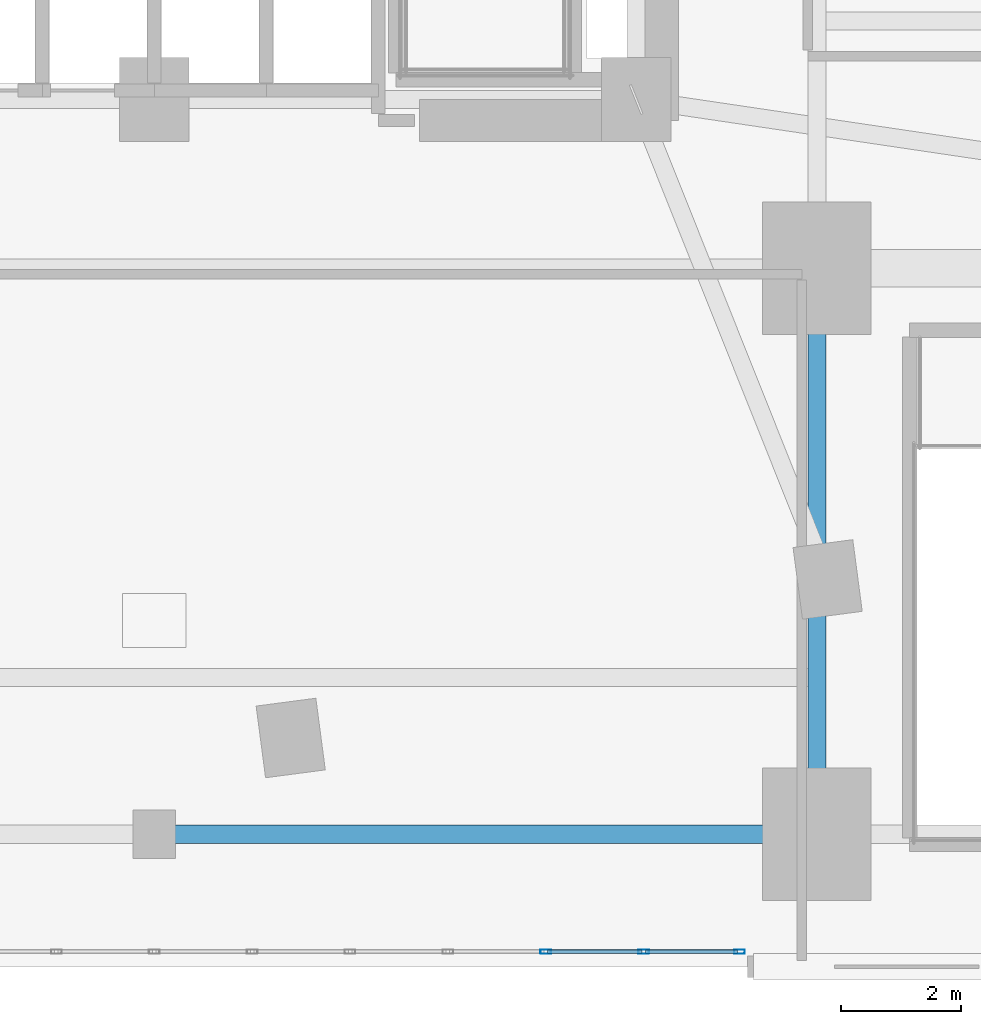
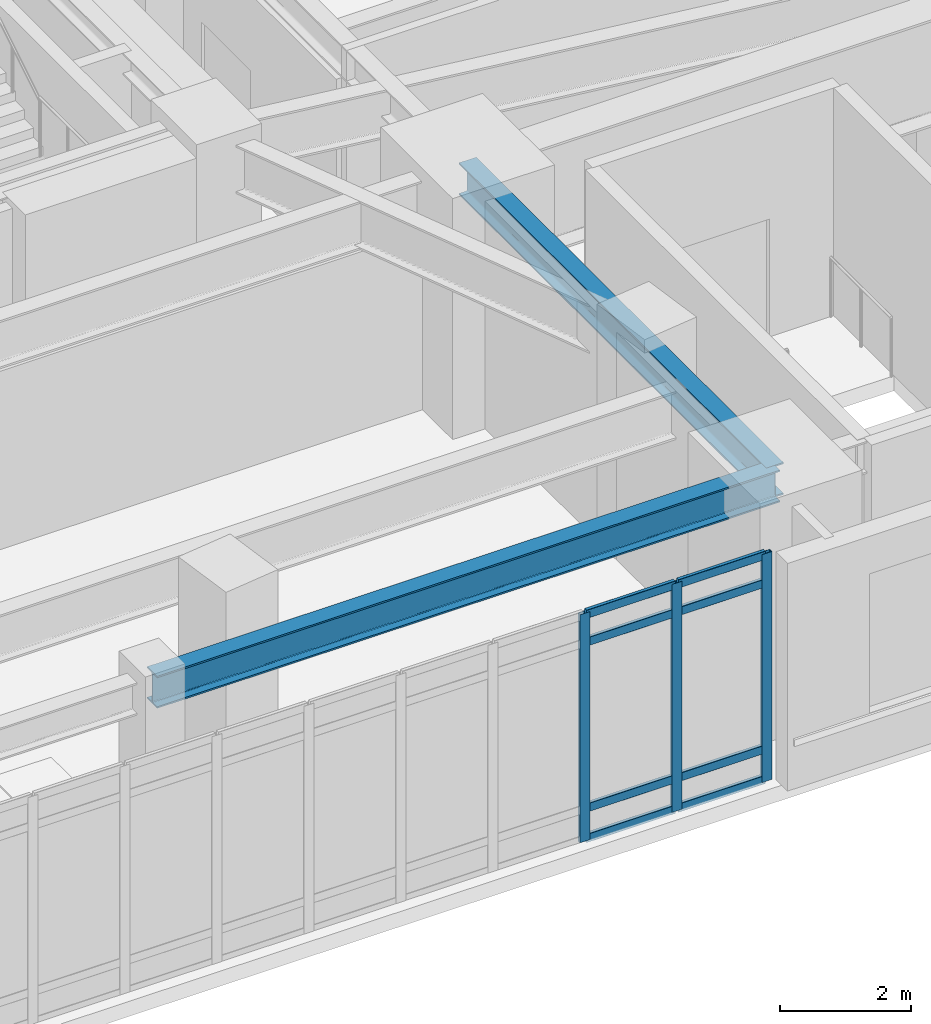
# One storey, part 6 of 20: 11 members, 2 beams, 1 element without a shape of its own.
"""IFC4 building model written with IfcOpenShell, lengths in metres."""

from ifc_helpers import new_model, si_unit, direction, frame, origin, origin_2d, place, context, subcontext, project, spatial, hollow_rectangle, i_section, extrude, material, layer, layer_set, material_profile, profile_set, type_object, element, aggregate, save


model = new_model("IFC4")

# Units and contexts
model_context = context("Model", 3, precision=1e-05, world=origin(), true_north=direction((0.0, 1.0)))
body_context = subcontext(model_context, "Body", "Model", "MODEL_VIEW")
ifc_project = project(units=[si_unit("LENGTHUNIT", "METRE"), si_unit("AREAUNIT", "SQUARE_METRE"), si_unit("VOLUMEUNIT", "CUBIC_METRE"), si_unit("PLANEANGLEUNIT", "RADIAN"), si_unit("MASSUNIT", "GRAM", prefix="KILO")], contexts=[model_context])

# Site, building, storey
site_placement = place(None, origin())
site = spatial("IfcSite", under=ifc_project, at=site_placement, CompositionType="ELEMENT")
building_placement = place(site_placement, origin())
building = spatial("IfcBuilding", under=site, at=building_placement, Name="Ndelora Gate Hotel", CompositionType="ELEMENT")
storey_placement = place(building_placement, frame((0.0, 0.0, 26.0)))
storey = spatial("IfcBuildingStorey", under=building, at=storey_placement, Name="L05", CompositionType="ELEMENT", Elevation=26.0)

# Beams
ifc_material_1 = material(Name="Steel S355", Category="steel")
ifc_material_profile_1 = material_profile(ifc_material_1, i_section(OverallWidth=0.300048828125, OverallDepth=0.60009765625, WebThickness=0.015380859375, FlangeThickness=0.030029296875, FilletRadius=0.027099609375, at=origin_2d()), Name="HEB 600")
ifc_profile_set_1 = profile_set([ifc_material_profile_1], Name="Steel S355")
beam_type = type_object("IfcBeamType", Name="BM-POD-600", PredefinedType="BEAM", material=ifc_profile_set_1)
beam_1_placement = place(storey_placement, frame((11.0, -18.800048828125, 3.93994140625), z_axis=(0.0, 1.0, 0.0), x_axis=(-1.0, 0.0, 0.0)))
element("IfcBeam", 1, at=beam_1_placement, inside=storey, type_object=beam_type, Name="L05 Podium Longitudinal Girder X=+11.0", PredefinedType="BEAM", context=body_context, shape_type="SweptSolid", body=[
    extrude(i_section(OverallWidth=0.300048828125, OverallDepth=0.60009765625, WebThickness=0.015380859375, FlangeThickness=0.030029296875, FilletRadius=0.027099609375, at=origin_2d()), origin(), (0.0, 0.0, 1.0), 9.400146484375),
])
beam_2_placement = place(storey_placement, frame((0.0, -18.800048828125, 3.93994140625), z_axis=(1.0, 0.0, 0.0), x_axis=(0.0, 1.0, 0.0)))
element("IfcBeam", 2, at=beam_2_placement, inside=storey, type_object=beam_type, Name="L05 Podium Transverse Girder Y=-18.8", PredefinedType="BEAM", context=body_context, shape_type="SweptSolid", body=[
    extrude(i_section(OverallWidth=0.300048828125, OverallDepth=0.60009765625, WebThickness=0.015380859375, FlangeThickness=0.030029296875, FilletRadius=0.027099609375, at=origin_2d()), origin(), (0.0, 0.0, 1.0), 11.0),
])

# Curtain wall, members
ifc_material_2 = material(Name="Bronze Anodised Unitised Aluminium and Low-E Glass", Category="aluminium")
ifc_layer = layer(ifc_material_2, 0.219970703125)
ifc_layer_set = layer_set([ifc_layer], Name="Bronze Anodised Unitised Aluminium and Low-E Glass")
curtain_wall_type = type_object("IfcCurtainWallType", Name="CW-SYS-2", PredefinedType="NOTDEFINED", material=ifc_layer_set)
curtain_wall_placement = place(storey_placement, origin())
curtain_wall = element("IfcCurtainWall", 3, at=curtain_wall_placement, inside=storey, type_object=curtain_wall_type, Name="L05 South Podium Foyer Curtain Wall CW2", PredefinedType="NOTDEFINED")
ifc_material_3 = material(Name="Bronze Anodised Aluminium 6063-T6", Category="aluminium")
ifc_material_profile_2 = material_profile(ifc_material_3, hollow_rectangle(XDim=0.070068359375, YDim=0.179931640625, WallThickness=0.0048828125, InnerFilletRadius=0.0048828125, OuterFilletRadius=0.010009765625, at=origin_2d()), Name="ALU 180x70x5")
ifc_profile_set_2 = profile_set([ifc_material_profile_2], Name="Bronze Anodised Aluminium 6063-T6")
member_type_1 = type_object("IfcMemberType", Name="MB-CW-MUL180", PredefinedType="MULLION", material=ifc_profile_set_2)
member_1_placement = place(storey_placement, frame((6.5, -20.75, -0.00390625), z_axis=(0.0, 0.0, 1.0), x_axis=(0.0, 1.0, 0.0)))
member_1 = element("IfcMember", 4, at=member_1_placement, type_object=member_type_1, Name="CW2 mullion 11", PredefinedType="MULLION", context=body_context, shape_type="SweptSolid", body=[
    extrude(hollow_rectangle(XDim=0.070068359375, YDim=0.179931640625, WallThickness=0.0048828125, InnerFilletRadius=0.0048828125, OuterFilletRadius=0.010009765625, at=origin_2d()), origin(), (0.0, 0.0, 1.0), 4.2578125),
])
member_2_placement = place(storey_placement, frame((8.125, -20.75, -0.00390625), z_axis=(0.0, 0.0, 1.0), x_axis=(0.0, 1.0, 0.0)))
member_2 = element("IfcMember", 5, at=member_2_placement, type_object=member_type_1, Name="CW2 mullion 12", PredefinedType="MULLION", context=body_context, shape_type="SweptSolid", body=[
    extrude(hollow_rectangle(XDim=0.070068359375, YDim=0.179931640625, WallThickness=0.0048828125, InnerFilletRadius=0.0048828125, OuterFilletRadius=0.010009765625, at=origin_2d()), origin(), (0.0, 0.0, 1.0), 4.2578125),
])
member_3_placement = place(storey_placement, frame((9.715087890625, -20.75, -0.00390625), z_axis=(0.0, 0.0, 1.0), x_axis=(0.0, 1.0, 0.0)))
member_3 = element("IfcMember", 6, at=member_3_placement, type_object=member_type_1, Name="CW2 mullion 13", PredefinedType="MULLION", context=body_context, shape_type="SweptSolid", body=[
    extrude(hollow_rectangle(XDim=0.070068359375, YDim=0.179931640625, WallThickness=0.0048828125, InnerFilletRadius=0.0048828125, OuterFilletRadius=0.010009765625, at=origin_2d()), origin(), (0.0, 0.0, 1.0), 4.2578125),
])
ifc_material_profile_3 = material_profile(ifc_material_3, hollow_rectangle(XDim=0.06494140625, YDim=0.159912109375, WallThickness=0.00390625, InnerFilletRadius=0.00390625, OuterFilletRadius=0.008056640625, at=origin_2d()), Name="ALU 160x65x4")
ifc_profile_set_3 = profile_set([ifc_material_profile_3], Name="Bronze Anodised Aluminium 6063-T6")
member_type_2 = type_object("IfcMemberType", Name="MB-CW-TRN150", PredefinedType="USERDEFINED", material=ifc_profile_set_3)
member_4_placement = place(storey_placement, frame((6.529052734375, -20.75, 0.032470703125), z_axis=(1.0, 0.0, 0.0), x_axis=(0.0, 1.0, 0.0)))
member_4 = element("IfcMember", 7, at=member_4_placement, type_object=member_type_2, Name="CW2 transom 11.1", ObjectType="TRANSOM", PredefinedType="USERDEFINED", context=body_context, shape_type="SweptSolid", body=[
    extrude(hollow_rectangle(XDim=0.06494140625, YDim=0.159912109375, WallThickness=0.00390625, InnerFilletRadius=0.00390625, OuterFilletRadius=0.008056640625, at=origin_2d()), origin(), (0.0, 0.0, 1.0), 1.56689453125),
])
member_5_placement = place(storey_placement, frame((6.529052734375, -20.75, 0.60009765625), z_axis=(1.0, 0.0, 0.0), x_axis=(0.0, 1.0, 0.0)))
member_5 = element("IfcMember", 8, at=member_5_placement, type_object=member_type_2, Name="CW2 transom 11.2", ObjectType="TRANSOM", PredefinedType="USERDEFINED", context=body_context, shape_type="SweptSolid", body=[
    extrude(hollow_rectangle(XDim=0.06494140625, YDim=0.159912109375, WallThickness=0.00390625, InnerFilletRadius=0.00390625, OuterFilletRadius=0.008056640625, at=origin_2d()), origin(), (0.0, 0.0, 1.0), 1.56689453125),
])
member_6_placement = place(storey_placement, frame((6.529052734375, -20.75, 3.699951171875), z_axis=(1.0, 0.0, 0.0), x_axis=(0.0, 1.0, 0.0)))
member_6 = element("IfcMember", 9, at=member_6_placement, type_object=member_type_2, Name="CW2 transom 11.3", ObjectType="TRANSOM", PredefinedType="USERDEFINED", context=body_context, shape_type="SweptSolid", body=[
    extrude(hollow_rectangle(XDim=0.06494140625, YDim=0.159912109375, WallThickness=0.00390625, InnerFilletRadius=0.00390625, OuterFilletRadius=0.008056640625, at=origin_2d()), origin(), (0.0, 0.0, 1.0), 1.56689453125),
])
member_7_placement = place(storey_placement, frame((6.529052734375, -20.75, 4.217529296875), z_axis=(1.0, 0.0, 0.0), x_axis=(0.0, 1.0, 0.0)))
member_7 = element("IfcMember", 10, at=member_7_placement, type_object=member_type_2, Name="CW2 transom 11.4", ObjectType="TRANSOM", PredefinedType="USERDEFINED", context=body_context, shape_type="SweptSolid", body=[
    extrude(hollow_rectangle(XDim=0.06494140625, YDim=0.159912109375, WallThickness=0.00390625, InnerFilletRadius=0.00390625, OuterFilletRadius=0.008056640625, at=origin_2d()), origin(), (0.0, 0.0, 1.0), 1.56689453125),
])
member_8_placement = place(storey_placement, frame((8.154052734375, -20.75, 0.032470703125), z_axis=(1.0, 0.0, 0.0), x_axis=(0.0, 1.0, 0.0)))
member_8 = element("IfcMember", 11, at=member_8_placement, type_object=member_type_2, Name="CW2 transom 12.1", ObjectType="TRANSOM", PredefinedType="USERDEFINED", context=body_context, shape_type="SweptSolid", body=[
    extrude(hollow_rectangle(XDim=0.06494140625, YDim=0.159912109375, WallThickness=0.00390625, InnerFilletRadius=0.00390625, OuterFilletRadius=0.008056640625, at=origin_2d()), origin(), (0.0, 0.0, 1.0), 1.531982421875),
])
member_9_placement = place(storey_placement, frame((8.154052734375, -20.75, 0.60009765625), z_axis=(1.0, 0.0, 0.0), x_axis=(0.0, 1.0, 0.0)))
member_9 = element("IfcMember", 12, at=member_9_placement, type_object=member_type_2, Name="CW2 transom 12.2", ObjectType="TRANSOM", PredefinedType="USERDEFINED", context=body_context, shape_type="SweptSolid", body=[
    extrude(hollow_rectangle(XDim=0.06494140625, YDim=0.159912109375, WallThickness=0.00390625, InnerFilletRadius=0.00390625, OuterFilletRadius=0.008056640625, at=origin_2d()), origin(), (0.0, 0.0, 1.0), 1.531982421875),
])
member_10_placement = place(storey_placement, frame((8.154052734375, -20.75, 3.699951171875), z_axis=(1.0, 0.0, 0.0), x_axis=(0.0, 1.0, 0.0)))
member_10 = element("IfcMember", 13, at=member_10_placement, type_object=member_type_2, Name="CW2 transom 12.3", ObjectType="TRANSOM", PredefinedType="USERDEFINED", context=body_context, shape_type="SweptSolid", body=[
    extrude(hollow_rectangle(XDim=0.06494140625, YDim=0.159912109375, WallThickness=0.00390625, InnerFilletRadius=0.00390625, OuterFilletRadius=0.008056640625, at=origin_2d()), origin(), (0.0, 0.0, 1.0), 1.531982421875),
])
member_11_placement = place(storey_placement, frame((8.154052734375, -20.75, 4.217529296875), z_axis=(1.0, 0.0, 0.0), x_axis=(0.0, 1.0, 0.0)))
member_11 = element("IfcMember", 14, at=member_11_placement, type_object=member_type_2, Name="CW2 transom 12.4", ObjectType="TRANSOM", PredefinedType="USERDEFINED", context=body_context, shape_type="SweptSolid", body=[
    extrude(hollow_rectangle(XDim=0.06494140625, YDim=0.159912109375, WallThickness=0.00390625, InnerFilletRadius=0.00390625, OuterFilletRadius=0.008056640625, at=origin_2d()), origin(), (0.0, 0.0, 1.0), 1.531982421875),
])
aggregate(curtain_wall, [member_1, member_2, member_3, member_4, member_5, member_6, member_7, member_8, member_9, member_10, member_11])

save(model, "model.ifc")
